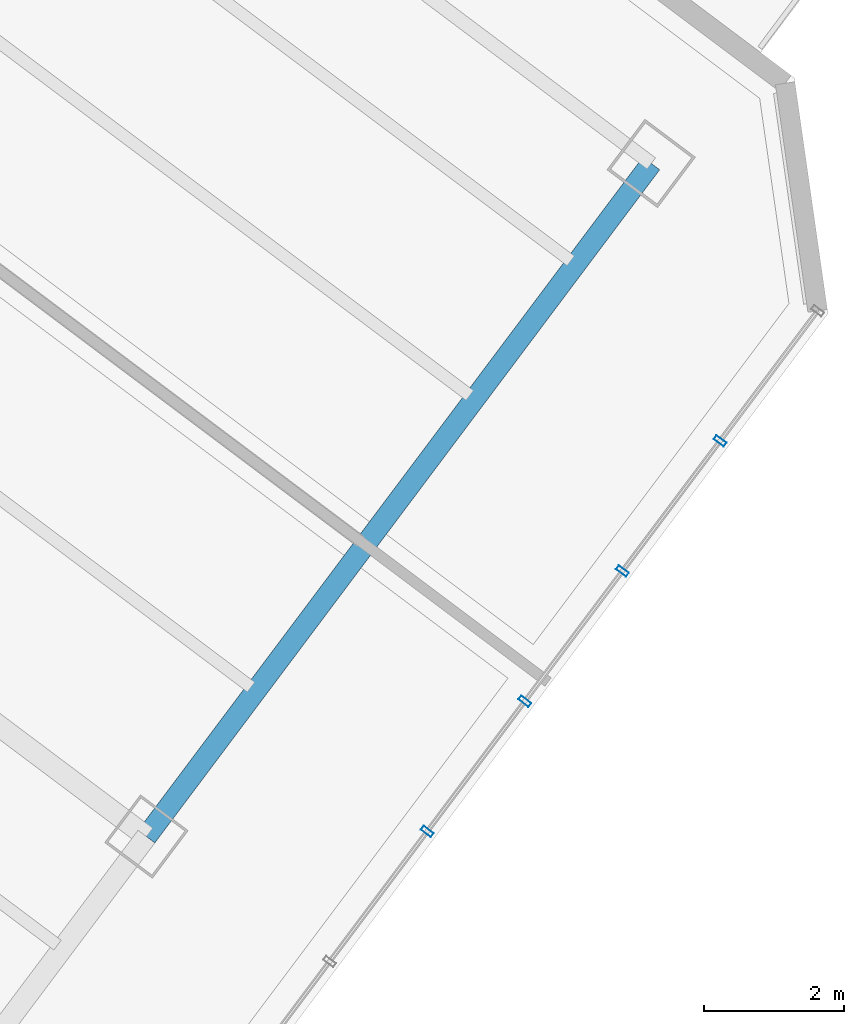
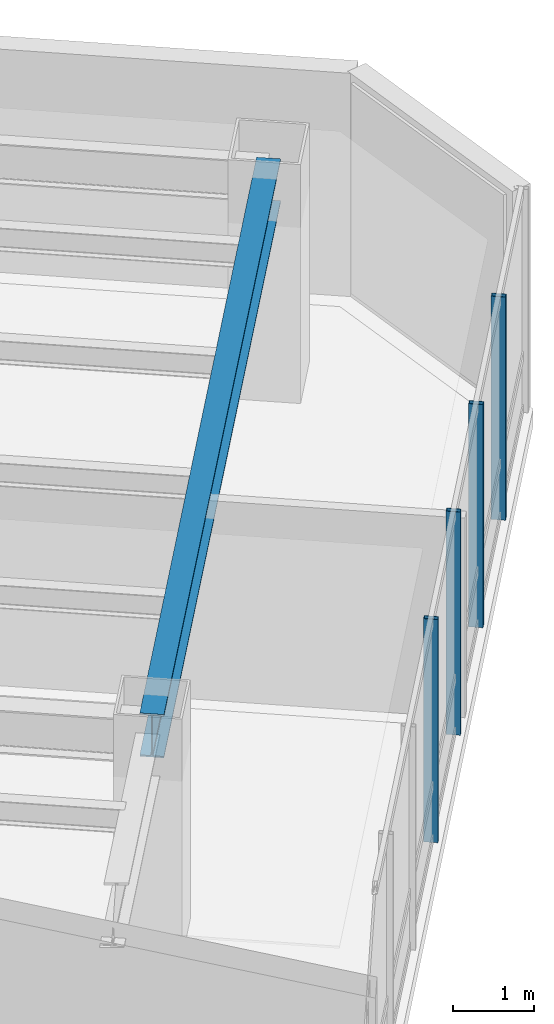
# One storey, part 10 of 30: 4 members, 1 beam, 1 element without a shape of its own.
"""IFC4 building model written with IfcOpenShell, lengths in metres."""

from ifc_helpers import new_model, si_unit, direction, frame, origin, origin_2d, place, context, subcontext, project, spatial, hollow_rectangle, i_section, extrude, material, layer, layer_set, material_profile, profile_set, type_object, element, aggregate, save


model = new_model("IFC4")

# Units and contexts
model_context = context("Model", 3, precision=1e-05, world=origin(), true_north=direction((0.0, 1.0)))
body_context = subcontext(model_context, "Body", "Model", "MODEL_VIEW")
ifc_project = project(units=[si_unit("LENGTHUNIT", "METRE"), si_unit("AREAUNIT", "SQUARE_METRE"), si_unit("VOLUMEUNIT", "CUBIC_METRE"), si_unit("PLANEANGLEUNIT", "RADIAN"), si_unit("MASSUNIT", "GRAM", prefix="KILO")], contexts=[model_context])

# Site, building, storey
site_placement = place(None, origin())
site = spatial("IfcSite", under=ifc_project, at=site_placement, CompositionType="ELEMENT")
building_placement = place(site_placement, origin())
building = spatial("IfcBuilding", under=site, at=building_placement, Name="Hatsunagi Terrace Concourse", CompositionType="ELEMENT")
storey_placement = place(building_placement, frame((0.0, 0.0, 101.25)))
storey = spatial("IfcBuildingStorey", under=building, at=storey_placement, Name="L26", CompositionType="ELEMENT", Elevation=101.25)

# Curtain wall, members
ifc_material_1 = material(Name="Anodised Aluminium Alloy 6063-T5", Category="aluminium")
ifc_layer = layer(ifc_material_1, 0.199951171875)
ifc_layer_set = layer_set([ifc_layer], Name="OfficeZone1_CW03")
curtain_wall_type = type_object("IfcCurtainWallType", Name="OfficeZone1_CW03", PredefinedType="NOTDEFINED", material=ifc_layer_set)
curtain_wall_placement = place(storey_placement, origin())
curtain_wall = element("IfcCurtainWall", 1, at=curtain_wall_placement, inside=storey, type_object=curtain_wall_type, Name="Unitised Curtain Wall CW-03 CW-L26-03", PredefinedType="NOTDEFINED")
ifc_material_2 = material(Name="Anodised Aluminium Alloy 6063-T5", Category="aluminium")
ifc_material_profile_1 = material_profile(ifc_material_2, hollow_rectangle(XDim=0.070068359375, YDim=0.179931640625, WallThickness=0.00390625, at=origin_2d()), Name="ALU-MUL-180x70x4")
ifc_profile_set_1 = profile_set([ifc_material_profile_1], Name="Anodised Aluminium Alloy 6063-T5")
member_type = type_object("IfcMemberType", Name="CurtainWallMullion_180x70", PredefinedType="MULLION", material=ifc_profile_set_1)
member_1_placement = place(storey_placement, frame((67.700927734375, 17.802001953125, 0.0), z_axis=(0.0, 0.0, 1.0), x_axis=(-0.599969314634, -0.800023013105, 0.0)))
member_1 = element("IfcMember", 2, at=member_1_placement, type_object=member_type, Name="Curtain Wall Mullion MUL-02", PredefinedType="MULLION", context=body_context, shape_type="SweptSolid", body=[
    extrude(hollow_rectangle(XDim=0.070068359375, YDim=0.179931640625, WallThickness=0.00390625, at=origin_2d()), origin(), (0.0, 0.0, 1.0), 3.35009765625),
])
member_2_placement = place(storey_placement, frame((66.30908203125, 15.945068359375, 0.0), z_axis=(0.0, 0.0, 1.0), x_axis=(-0.599969314634, -0.800023013105, 0.0)))
member_2 = element("IfcMember", 3, at=member_2_placement, type_object=member_type, Name="Curtain Wall Mullion MUL-02", PredefinedType="MULLION", context=body_context, shape_type="SweptSolid", body=[
    extrude(hollow_rectangle(XDim=0.070068359375, YDim=0.179931640625, WallThickness=0.00390625, at=origin_2d()), origin(), (0.0, 0.0, 1.0), 3.35009765625),
])
member_3_placement = place(storey_placement, frame((64.916015625, 14.089111328125, 0.0), z_axis=(0.0, 0.0, 1.0), x_axis=(-0.599969314634, -0.800023013105, 0.0)))
member_3 = element("IfcMember", 4, at=member_3_placement, type_object=member_type, Name="Curtain Wall Mullion MUL-02", PredefinedType="MULLION", context=body_context, shape_type="SweptSolid", body=[
    extrude(hollow_rectangle(XDim=0.070068359375, YDim=0.179931640625, WallThickness=0.00390625, at=origin_2d()), origin(), (0.0, 0.0, 1.0), 3.35009765625),
])
member_4_placement = place(storey_placement, frame((63.52392578125, 12.23193359375, 0.0), z_axis=(0.0, 0.0, 1.0), x_axis=(-0.599969314634, -0.800023013105, 0.0)))
member_4 = element("IfcMember", 5, at=member_4_placement, type_object=member_type, Name="Curtain Wall Mullion MUL-02", PredefinedType="MULLION", context=body_context, shape_type="SweptSolid", body=[
    extrude(hollow_rectangle(XDim=0.070068359375, YDim=0.179931640625, WallThickness=0.00390625, at=origin_2d()), origin(), (0.0, 0.0, 1.0), 3.35009765625),
])
aggregate(curtain_wall, [member_1, member_2, member_3, member_4])

# Beam
ifc_material_3 = material(Name="Steel SN490B", Category="steel")
ifc_material_profile_2 = material_profile(ifc_material_3, i_section(OverallWidth=0.300048828125, OverallDepth=0.64990234375, WebThickness=0.012939453125, FlangeThickness=0.02197265625, FilletRadius=0.01806640625, at=origin_2d()), Name="H-650x300x13x22")
ifc_profile_set_2 = profile_set([ifc_material_profile_2], Name="Steel SN490B")
beam_type = type_object("IfcBeamType", Name="OfficeLowGirder_H_650x300", PredefinedType="BEAM", material=ifc_profile_set_2)
beam_placement = place(storey_placement, frame((59.52001953125, 12.159912109375, 3.02490234375), z_axis=(0.59999348959, 0.800004882766, 0.0), x_axis=(-0.800004882766, 0.59999348959, 0.0)))
element("IfcBeam", 6, at=beam_placement, inside=storey, type_object=beam_type, Name="Beam G-05 BM-L26-SET-3B", PredefinedType="BEAM", context=body_context, shape_type="SweptSolid", body=[
    extrude(i_section(OverallWidth=0.300048828125, OverallDepth=0.64990234375, WebThickness=0.012939453125, FlangeThickness=0.02197265625, FilletRadius=0.01806640625, at=origin_2d()), origin(), (0.0, 0.0, 1.0), 12.0),
])

save(model, "model.ifc")
